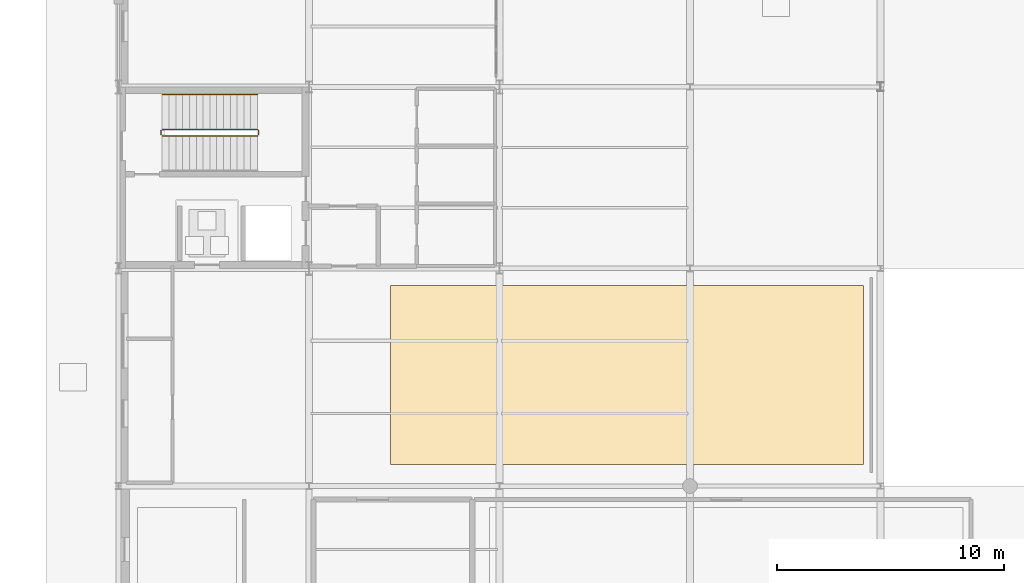
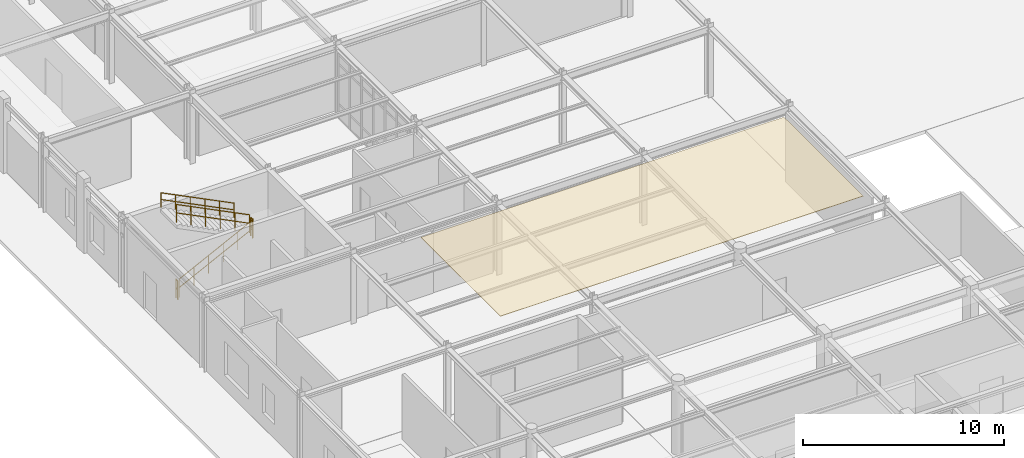
# One storey, part 92 of 101: 5 railings, 1 covering.
"""IFC4 building model written with IfcOpenShell, lengths in metres."""

from ifc_helpers import new_model, si_unit, derived_unit, direction, frame, origin, origin_2d, place, context, subcontext, project, spatial, polyline, circle, outline, extrude, material, layer, layer_set, type_object, element, save


model = new_model("IFC4")

# Units and contexts
model_context = context("Model", 3, precision=1e-05, world=origin(), true_north=direction((0.0, 1.0)))
body_context = subcontext(model_context, "Body", "Model", "MODEL_VIEW")
ifc_project = project(units=[si_unit("LENGTHUNIT", "METRE"), si_unit("AREAUNIT", "SQUARE_METRE"), si_unit("VOLUMEUNIT", "CUBIC_METRE"), si_unit("PLANEANGLEUNIT", "RADIAN"), si_unit("MASSUNIT", "GRAM", prefix="KILO"), derived_unit("THERMALTRANSMITTANCEUNIT", [(si_unit("POWERUNIT", "WATT"), 1), (si_unit("AREAUNIT", "SQUARE_METRE"), -1), (si_unit("THERMODYNAMICTEMPERATUREUNIT", "KELVIN"), -1)])], contexts=[model_context])

# Site, building, storey
site_placement = place(None, origin())
site = spatial("IfcSite", under=ifc_project, at=site_placement, CompositionType="ELEMENT")
building_placement = place(site_placement, origin())
building = spatial("IfcBuilding", under=site, at=building_placement, Name="Yasenodar Specialist Clinic", CompositionType="ELEMENT")
storey_placement = place(building_placement, origin())
storey = spatial("IfcBuildingStorey", under=building, at=storey_placement, Name="L00", CompositionType="ELEMENT", Elevation=0.0)

# Covering
ifc_material_1 = material(Name="Hygienic Acoustic Mineral-Fibre Ceiling")
ifc_layer = layer(ifc_material_1, 0.02490234375)
ifc_layer_set = layer_set([ifc_layer], Name="Hygienic Acoustic Mineral-Fibre Ceiling")
covering_type = type_object("IfcCoveringType", Name="COV-CEIL-AC", PredefinedType="CEILING", material=ifc_layer_set)
covering_placement = place(storey_placement, frame((0.0, 0.0, 4.22509765625)))
element("IfcCovering", 1, at=covering_placement, inside=storey, type_object=covering_type, Name="L00 Primary Care Outpatient Consulting Suite Acoustic Ceiling", PredefinedType="CEILING", context=body_context, shape_type="SweptSolid", body=[
    extrude(outline(polyline([(32.85009765625, 26.14990234375), (12.0, 26.14990234375), (12.0, 34.050048828125), (32.85009765625, 34.050048828125), (32.85009765625, 26.14990234375)])), origin(), (0.0, 0.0, 1.0), 0.02490234375),
])

# Railings
ifc_material_2 = material(Name="Steel S355 Painted Stair Guardrail", Category="steel")
railing_type_1 = type_object("IfcRailingType", Name="RL-ST-GRD", PredefinedType="GUARDRAIL", material=ifc_material_2)
railing_1_placement = place(storey_placement, frame((1.929931640625, 40.639892578125, 0.14990234375)))
element("IfcRailing", 2, at=railing_1_placement, inside=storey, type_object=railing_type_1, Name="L00 ST-01 stair guard 1", PredefinedType="GUARDRAIL", context=body_context, shape_type="SweptSolid", body=[
    extrude(circle(Radius=0.02392578125, at=origin_2d()), frame((0.0, 0.0, 1.09619140625), z_axis=(0.894416792377, 0.0, 0.447234392142), x_axis=(0.0, 1.0, 0.0)), (0.0, 0.0, 1.0), 4.69580078125),
    extrude(circle(Radius=0.02392578125, at=origin_2d()), frame((0.0, 0.0, 0.58251953125), z_axis=(0.894416792377, 0.0, 0.447234392142), x_axis=(0.0, 1.0, 0.0)), (0.0, 0.0, 1.0), 4.69580078125),
    extrude(circle(Radius=0.02099609375, at=origin_2d()), origin(), (0.0, 0.0, 1.0), 1.072021484375),
    extrude(circle(Radius=0.02099609375, at=origin_2d()), frame((0.840087890625, 0.0, 0.419921875)), (0.0, 0.0, 1.0), 1.072021484375),
    extrude(circle(Radius=0.02099609375, at=origin_2d()), frame((1.679931640625, 0.0, 0.840087890625)), (0.0, 0.0, 1.0), 1.072021484375),
    extrude(circle(Radius=0.02099609375, at=origin_2d()), frame((2.52001953125, 0.0, 1.260009765625)), (0.0, 0.0, 1.0), 1.072021484375),
    extrude(circle(Radius=0.02099609375, at=origin_2d()), frame((3.35986328125, 0.0, 1.68017578125)), (0.0, 0.0, 1.0), 1.072021484375),
    extrude(circle(Radius=0.02099609375, at=origin_2d()), frame((4.199951171875, 0.0, 2.10009765625)), (0.0, 0.0, 1.0), 1.072021484375),
])
railing_2_placement = place(storey_placement, frame((6.179931640625, 40.68994140625, 2.25)))
element("IfcRailing", 3, at=railing_2_placement, inside=storey, type_object=railing_type_1, Name="L00 ST-01 stair guard 2", PredefinedType="GUARDRAIL", context=body_context, shape_type="SweptSolid", body=[
    extrude(circle(Radius=0.02392578125, at=origin_2d()), frame((0.0, 0.0, 1.09619140625), z_axis=(0.0, 1.0, 0.0), x_axis=(-1.0, 0.0, 0.0)), (0.0, 0.0, 1.0), 0.18994140625),
    extrude(circle(Radius=0.02392578125, at=origin_2d()), frame((0.0, 0.0, 0.58251953125), z_axis=(0.0, 1.0, 0.0), x_axis=(-1.0, 0.0, 0.0)), (0.0, 0.0, 1.0), 0.18994140625),
    extrude(circle(Radius=0.02099609375, at=origin_2d()), origin(), (0.0, 0.0, 1.0), 1.072021484375),
    extrude(circle(Radius=0.02099609375, at=origin_2d()), frame((0.0, 0.18994140625, 0.0)), (0.0, 0.0, 1.0), 1.072021484375),
])
railing_3_placement = place(storey_placement, frame((6.1298828125, 40.929931640625, 2.39990234375)))
element("IfcRailing", 4, at=railing_3_placement, inside=storey, type_object=railing_type_1, Name="L00 ST-01 stair guard 3", PredefinedType="GUARDRAIL", context=body_context, shape_type="SweptSolid", body=[
    extrude(circle(Radius=0.02392578125, at=origin_2d()), frame((0.0, 0.0, 1.09619140625), z_axis=(-0.894416792377, 0.0, 0.447234392142), x_axis=(0.0, -1.0, 0.0)), (0.0, 0.0, 1.0), 4.69580078125),
    extrude(circle(Radius=0.02392578125, at=origin_2d()), frame((0.0, 0.0, 0.58251953125), z_axis=(-0.894416792377, 0.0, 0.447234392142), x_axis=(0.0, -1.0, 0.0)), (0.0, 0.0, 1.0), 4.69580078125),
    extrude(circle(Radius=0.02099609375, at=origin_2d()), origin(), (0.0, 0.0, 1.0), 1.072021484375),
    extrude(circle(Radius=0.02099609375, at=origin_2d()), frame((-0.840087890625, 0.0, 0.419921875)), (0.0, 0.0, 1.0), 1.072021484375),
    extrude(circle(Radius=0.02099609375, at=origin_2d()), frame((-1.679931640625, 0.0, 0.840087890625)), (0.0, 0.0, 1.0), 1.072021484375),
    extrude(circle(Radius=0.02099609375, at=origin_2d()), frame((-2.52001953125, 0.0, 1.260009765625)), (0.0, 0.0, 1.0), 1.072021484375),
    extrude(circle(Radius=0.02099609375, at=origin_2d()), frame((-3.35986328125, 0.0, 1.68017578125)), (0.0, 0.0, 1.0), 1.072021484375),
    extrude(circle(Radius=0.02099609375, at=origin_2d()), frame((-4.199951171875, 0.0, 2.10009765625)), (0.0, 0.0, 1.0), 1.072021484375),
])
railing_4_placement = place(storey_placement, frame((1.8798828125, 40.68994140625, 0.0)))
element("IfcRailing", 5, at=railing_4_placement, inside=storey, type_object=railing_type_1, Name="L00 ST-01 stair guard 4", PredefinedType="GUARDRAIL", context=body_context, shape_type="SweptSolid", body=[
    extrude(circle(Radius=0.02392578125, at=origin_2d()), frame((0.0, 0.0, 1.09619140625), z_axis=(0.0, 1.0, 0.0), x_axis=(-1.0, 0.0, 0.0)), (0.0, 0.0, 1.0), 0.18994140625),
    extrude(circle(Radius=0.02392578125, at=origin_2d()), frame((0.0, 0.0, 0.58251953125), z_axis=(0.0, 1.0, 0.0), x_axis=(-1.0, 0.0, 0.0)), (0.0, 0.0, 1.0), 0.18994140625),
    extrude(circle(Radius=0.02099609375, at=origin_2d()), origin(), (0.0, 0.0, 1.0), 1.072021484375),
    extrude(circle(Radius=0.02099609375, at=origin_2d()), frame((0.0, 0.18994140625, 0.0)), (0.0, 0.0, 1.0), 1.072021484375),
])
ifc_material_3 = material(Name="Brushed Stainless Steel Handrail", Category="steel")
railing_type_2 = type_object("IfcRailingType", Name="RL-ST-HND", PredefinedType="HANDRAIL", material=ifc_material_3)
railing_5_placement = place(storey_placement, frame((6.1298828125, 42.4599609375, 2.39990234375)))
element("IfcRailing", 6, at=railing_5_placement, inside=storey, type_object=railing_type_2, Name="L00 ST-01 stair handrail 2", PredefinedType="HANDRAIL", context=body_context, shape_type="SweptSolid", body=[
    extrude(circle(Radius=0.02392578125, at=origin_2d()), frame((0.0, 0.0, 0.8759765625), z_axis=(-0.894416792377, 0.0, 0.447234392142), x_axis=(0.0, -1.0, 0.0)), (0.0, 0.0, 1.0), 4.69580078125),
    extrude(circle(Radius=0.02392578125, at=origin_2d()), frame((0.0, 0.0, 0.468017578125), z_axis=(-0.894416792377, 0.0, 0.447234392142), x_axis=(0.0, -1.0, 0.0)), (0.0, 0.0, 1.0), 4.69580078125),
    extrude(circle(Radius=0.02099609375, at=origin_2d()), origin(), (0.0, 0.0, 1.0), 0.851806640625),
    extrude(circle(Radius=0.02099609375, at=origin_2d()), frame((-0.840087890625, 0.0, 0.419921875)), (0.0, 0.0, 1.0), 0.851806640625),
    extrude(circle(Radius=0.02099609375, at=origin_2d()), frame((-1.679931640625, 0.0, 0.840087890625)), (0.0, 0.0, 1.0), 0.851806640625),
    extrude(circle(Radius=0.02099609375, at=origin_2d()), frame((-2.52001953125, 0.0, 1.260009765625)), (0.0, 0.0, 1.0), 0.851806640625),
    extrude(circle(Radius=0.02099609375, at=origin_2d()), frame((-3.35986328125, 0.0, 1.68017578125)), (0.0, 0.0, 1.0), 0.851806640625),
    extrude(circle(Radius=0.02099609375, at=origin_2d()), frame((-4.199951171875, 0.0, 2.10009765625)), (0.0, 0.0, 1.0), 0.851806640625),
])

save(model, "model.ifc")
